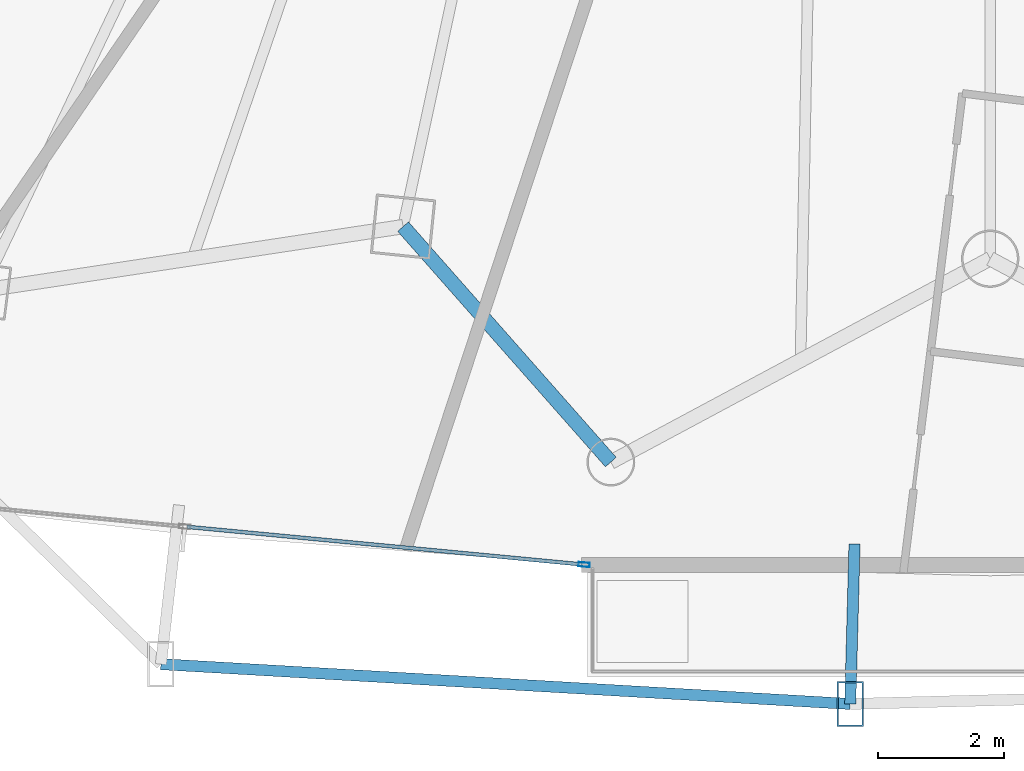
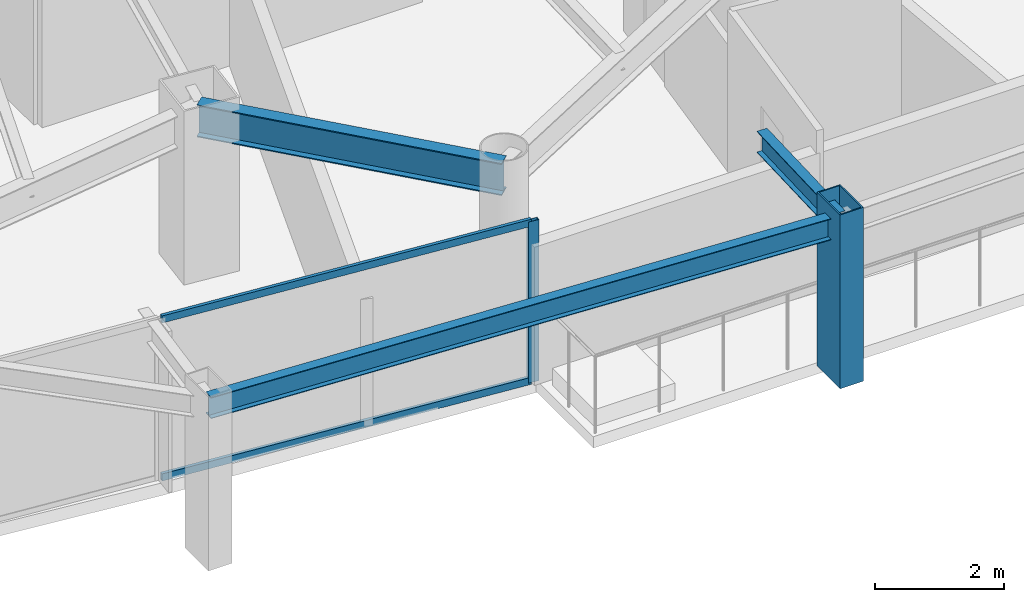
# One storey, part 6 of 34: 4 members, 3 beams, 1 element without a shape of its own.
"""IFC4 building model written with IfcOpenShell, lengths in metres."""

from ifc_helpers import new_model, si_unit, direction, frame, origin, origin_2d, place, context, subcontext, project, spatial, hollow_rectangle, i_section, extrude, material, layer, layer_set, material_profile, profile_set, type_object, element, aggregate, save


model = new_model("IFC4")

# Units and contexts
model_context = context("Model", 3, precision=1e-05, world=origin(), true_north=direction((0.0, 1.0)))
body_context = subcontext(model_context, "Body", "Model", "MODEL_VIEW")
ifc_project = project(units=[si_unit("LENGTHUNIT", "METRE"), si_unit("AREAUNIT", "SQUARE_METRE"), si_unit("VOLUMEUNIT", "CUBIC_METRE"), si_unit("PLANEANGLEUNIT", "RADIAN"), si_unit("MASSUNIT", "GRAM", prefix="KILO")], contexts=[model_context])

# Site, building, storey
site_placement = place(None, origin())
site = spatial("IfcSite", under=ifc_project, at=site_placement, CompositionType="ELEMENT")
building_placement = place(site_placement, origin())
building = spatial("IfcBuilding", under=site, at=building_placement, Name="Orvanel Arch Residences", CompositionType="ELEMENT")
storey_placement = place(building_placement, frame((0.0, 0.0, 64.25)))
storey = spatial("IfcBuildingStorey", under=building, at=storey_placement, Name="L17", CompositionType="ELEMENT", Elevation=64.25)

# Member
ifc_material_1 = material(Name="Structural steel AS/NZS 3678 Grade 350", Category="steel")
ifc_material_profile_1 = material_profile(ifc_material_1, hollow_rectangle(XDim=0.419921875, YDim=0.719970703125, WallThickness=0.02490234375, at=origin_2d()), Name="RHS720x420x25")
ifc_profile_set_1 = profile_set([ifc_material_profile_1], Name="Structural steel AS/NZS 3678 Grade 350")
member_type_1 = type_object("IfcMemberType", Name="CH-720RHS-EXT", PredefinedType="CHORD", material=ifc_profile_set_1)
member_1_placement = place(storey_placement, frame((30.77099609375, -0.2470703125, 0.0), z_axis=(0.0, 0.0, 1.0), x_axis=(1.0, 0.0, 0.0)))
element("IfcMember", 1, at=member_1_placement, inside=storey, type_object=member_type_1, Name="L17 Outer Perimeter Frame Post 06", PredefinedType="CHORD", context=body_context, shape_type="SweptSolid", body=[
    extrude(hollow_rectangle(XDim=0.419921875, YDim=0.719970703125, WallThickness=0.02490234375, at=origin_2d()), origin(), (0.0, 0.0, 1.0), 3.300048828125),
])

# Curtain wall, member
ifc_material_2 = material(Name="Bronze-anodised aluminium AA6063-T6", Category="aluminium")
ifc_layer = layer(ifc_material_2, 0.179931640625)
ifc_layer_set = layer_set([ifc_layer], Name="Bronze-anodised aluminium AA6063-T6")
curtain_wall_type = type_object("IfcCurtainWallType", Name="CW2-LOW-SYS", PredefinedType="NOTDEFINED", material=ifc_layer_set)
curtain_wall_placement = place(storey_placement, origin())
curtain_wall = element("IfcCurtainWall", 2, at=curtain_wall_placement, inside=storey, type_object=curtain_wall_type, Name="L17 CW2-LOW-SYS Unitised Curtain Wall", PredefinedType="NOTDEFINED")
ifc_material_profile_2 = material_profile(ifc_material_2, hollow_rectangle(XDim=0.070068359375, YDim=0.179931640625, WallThickness=0.00439453125, at=origin_2d()), Name="ALU180x70x4.5")
ifc_profile_set_2 = profile_set([ifc_material_profile_2], Name="Bronze-anodised aluminium AA6063-T6")
member_type_2 = type_object("IfcMemberType", Name="MUL-180x70", PredefinedType="MULLION", material=ifc_profile_set_2)
member_2_placement = place(storey_placement, frame((26.5322265625, 1.971435546875, 0.0), z_axis=(0.0, 0.0, 1.0), x_axis=(0.094831137816, 0.995493372806, 0.0)))
member_2 = element("IfcMember", 3, at=member_2_placement, type_object=member_type_2, Name="CW-S2 mullion 3", PredefinedType="MULLION", context=body_context, shape_type="SweptSolid", body=[
    extrude(hollow_rectangle(XDim=0.070068359375, YDim=0.179931640625, WallThickness=0.00439453125, at=origin_2d()), origin(), (0.0, 0.0, 1.0), 3.06005859375),
])

# Beams
ifc_material_3 = material(Name="Structural steel AS/NZS 3679.1 Grade 300 (300 MPa)", Category="steel")
ifc_material_profile_3 = material_profile(ifc_material_3, i_section(OverallWidth=0.177978515625, OverallDepth=0.406005859375, WebThickness=0.0078125, FlangeThickness=0.0126953125, at=origin_2d()), Name="410UB59.7")
ifc_profile_set_3 = profile_set([ifc_material_profile_3], Name="Structural steel AS/NZS 3679.1 Grade 300 (300 MPa)")
beam_type_1 = type_object("IfcBeamType", Name="OB-410UB-EXT", PredefinedType="SPANDREL", material=ifc_profile_set_3)
beam_1_placement = place(storey_placement, frame((19.7919921875, 0.385986328125, 2.85693359375), z_axis=(0.99834175778, -0.057565047319, 0.0), x_axis=(0.057565047319, 0.99834175778, 0.0)))
element("IfcBeam", 4, at=beam_1_placement, inside=storey, type_object=beam_type_1, Name="L17 Outer Perimeter Floor Ring Beam 05", PredefinedType="SPANDREL", context=body_context, shape_type="SweptSolid", body=[
    extrude(i_section(OverallWidth=0.177978515625, OverallDepth=0.406005859375, WebThickness=0.0078125, FlangeThickness=0.0126953125, at=origin_2d()), origin(), (0.0, 0.0, 1.0), 10.997314453125),
])
beam_2_placement = place(storey_placement, frame((30.839111328125, 2.302001953125, 2.85693359375), z_axis=(-0.026712043324, -0.999643169707, 0.0), x_axis=(0.999643169707, -0.026712043324, 0.0)))
element("IfcBeam", 5, at=beam_2_placement, inside=storey, type_object=beam_type_1, Name="L17 Outer Frame Radial Tie Beam 06", PredefinedType="SPANDREL", context=body_context, shape_type="SweptSolid", body=[
    extrude(i_section(OverallWidth=0.177978515625, OverallDepth=0.406005859375, WebThickness=0.0078125, FlangeThickness=0.0126953125, at=origin_2d()), origin(), (0.0, 0.0, 1.0), 2.550048828125),
])
ifc_material_profile_4 = material_profile(ifc_material_3, i_section(OverallWidth=0.22900390625, OverallDepth=0.612060546875, WebThickness=0.011962890625, FlangeThickness=0.01953125, at=origin_2d()), Name="610UB125")
ifc_profile_set_4 = profile_set([ifc_material_profile_4], Name="Structural steel AS/NZS 3679.1 Grade 300 (300 MPa)")
beam_type_2 = type_object("IfcBeamType", Name="SP-610UB", PredefinedType="SPANDREL", material=ifc_profile_set_4)
beam_3_placement = place(storey_placement, frame((23.64892578125, 7.35498046875, 2.75390625), z_axis=(0.661650698195, -0.749812212209, 0.0), x_axis=(0.749812212209, 0.661650698195, 0.0)))
element("IfcBeam", 6, at=beam_3_placement, inside=storey, type_object=beam_type_2, Name="L17 Perimeter Spandrel Beam 05", PredefinedType="SPANDREL", context=body_context, shape_type="SweptSolid", body=[
    extrude(i_section(OverallWidth=0.22900390625, OverallDepth=0.612060546875, WebThickness=0.011962890625, FlangeThickness=0.01953125, at=origin_2d()), origin(), (0.0, 0.0, 1.0), 5.001220703125),
])

# Member
ifc_material_profile_5 = material_profile(ifc_material_2, hollow_rectangle(XDim=0.06005859375, YDim=0.135009765625, WallThickness=0.00390625, at=origin_2d()), Name="ALU135x60x4")
ifc_profile_set_5 = profile_set([ifc_material_profile_5], Name="Bronze-anodised aluminium AA6063-T6")
member_type_3 = type_object("IfcMemberType", Name="TRN-135x60", PredefinedType="USERDEFINED", material=ifc_profile_set_5)
member_3_placement = place(storey_placement, frame((20.208740234375, 2.57373046875, 0.030029296875), z_axis=(0.995492345482, -0.09484192157, 0.0), x_axis=(0.09484192157, 0.995492345482, 0.0)))
member_3 = element("IfcMember", 7, at=member_3_placement, type_object=member_type_3, Name="CW-S2 transom 2.1", ObjectType="TRANSOM", PredefinedType="USERDEFINED", context=body_context, shape_type="SweptSolid", body=[
    extrude(hollow_rectangle(XDim=0.06005859375, YDim=0.135009765625, WallThickness=0.00390625, at=origin_2d()), origin(), (0.0, 0.0, 1.0), 6.317138671875),
])

member_4_placement = place(storey_placement, frame((20.208740234375, 2.57373046875, 3.030029296875), z_axis=(0.995492345482, -0.09484192157, 0.0), x_axis=(0.09484192157, 0.995492345482, 0.0)))
member_4 = element("IfcMember", 8, at=member_4_placement, type_object=member_type_3, Name="CW-S2 transom 2.2", ObjectType="TRANSOM", PredefinedType="USERDEFINED", context=body_context, shape_type="SweptSolid", body=[
    extrude(hollow_rectangle(XDim=0.06005859375, YDim=0.135009765625, WallThickness=0.00390625, at=origin_2d()), origin(), (0.0, 0.0, 1.0), 6.317138671875),
])

aggregate(curtain_wall, [member_2, member_3, member_4])

save(model, "model.ifc")
